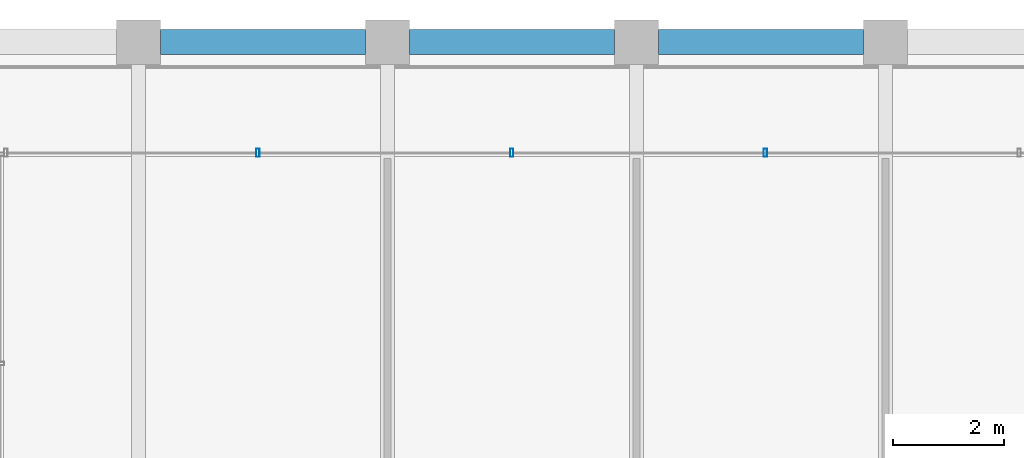
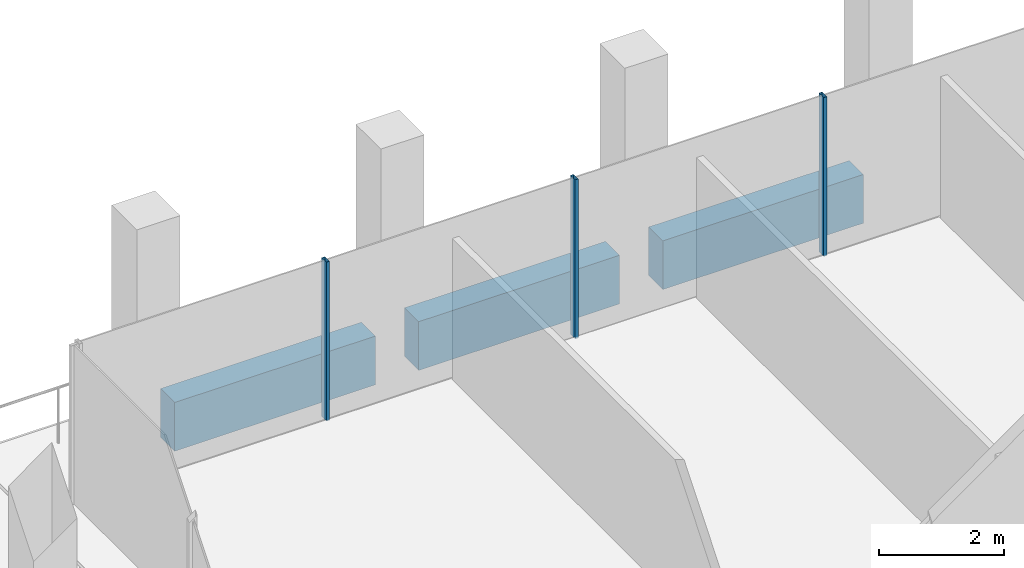
# One storey, part 23 of 30: 3 beams, 3 members, 1 element without a shape of its own.
"""IFC4 building model written with IfcOpenShell, lengths in metres."""

from ifc_helpers import new_model, si_unit, direction, frame, origin, origin_2d, place, context, subcontext, project, spatial, rectangle, hollow_rectangle, extrude, material, material_profile, profile_set, type_object, element, aggregate, save


model = new_model("IFC4")

# Units and contexts
model_context = context("Model", 3, precision=1e-05, world=origin(), true_north=direction((0.0, 1.0)))
body_context = subcontext(model_context, "Body", "Model", "MODEL_VIEW")
ifc_project = project(units=[si_unit("LENGTHUNIT", "METRE"), si_unit("AREAUNIT", "SQUARE_METRE"), si_unit("VOLUMEUNIT", "CUBIC_METRE"), si_unit("PLANEANGLEUNIT", "RADIAN"), si_unit("MASSUNIT", "GRAM", prefix="KILO")], contexts=[model_context])

# Site, building, storey
site_placement = place(None, origin())
site = spatial("IfcSite", under=ifc_project, at=site_placement, CompositionType="ELEMENT")
building_placement = place(site_placement, origin())
building = spatial("IfcBuilding", under=site, at=building_placement, Name="Altepetl Exchange Towers", CompositionType="ELEMENT")
storey_placement = place(building_placement, frame((0.0, 0.0, 224.39990234375)))
storey = spatial("IfcBuildingStorey", under=building, at=storey_placement, Name="L57", CompositionType="ELEMENT", Elevation=224.39990234375)

# Curtain wall, members
ifc_material_1 = material(Name="Aluminium 6063-T6 glazing", Category="aluminium")
curtain_wall_type = type_object("IfcCurtainWallType", Name="Loggia glazing system", PredefinedType="NOTDEFINED", material=ifc_material_1)
curtain_wall_placement = place(storey_placement, origin())
curtain_wall = element("IfcCurtainWall", 1, at=curtain_wall_placement, inside=storey, type_object=curtain_wall_type, Name="CW1 run", PredefinedType="NOTDEFINED")
ifc_material_2 = material(Name="Aluminium 6063-T6", Category="aluminium")
ifc_material_profile_1 = material_profile(ifc_material_2, hollow_rectangle(XDim=0.06005859375, YDim=0.14990234375, WallThickness=0.0029296875, at=origin_2d()), Name="Mullion 60x150 aluminium")
ifc_profile_set_1 = profile_set([ifc_material_profile_1], Name="Aluminium 6063-T6")
member_type = type_object("IfcMemberType", Name="Mullion 60x150 aluminium", PredefinedType="MULLION", material=ifc_profile_set_1)
member_1_placement = place(storey_placement, frame((56.330078125, 70.0, 0.0), z_axis=(0.0, 0.0, 1.0), x_axis=(-1.0, 0.0, 0.0)))
member_1 = element("IfcMember", 2, at=member_1_placement, type_object=member_type, Name="MU1 mullion", PredefinedType="MULLION", context=body_context, shape_type="SweptSolid", body=[
    extrude(hollow_rectangle(XDim=0.06005859375, YDim=0.14990234375, WallThickness=0.0029296875, at=origin_2d()), origin(), (0.0, 0.0, 1.0), 3.10009765625),
])
member_2_placement = place(storey_placement, frame((51.7451171875, 70.0, 0.0), z_axis=(0.0, 0.0, 1.0), x_axis=(-1.0, 0.0, 0.0)))
member_2 = element("IfcMember", 3, at=member_2_placement, type_object=member_type, Name="MU1 mullion", PredefinedType="MULLION", context=body_context, shape_type="SweptSolid", body=[
    extrude(hollow_rectangle(XDim=0.06005859375, YDim=0.14990234375, WallThickness=0.0029296875, at=origin_2d()), origin(), (0.0, 0.0, 1.0), 3.10009765625),
])
member_3_placement = place(storey_placement, frame((47.159912109375, 70.0, 0.0), z_axis=(0.0, 0.0, 1.0), x_axis=(-1.0, 0.0, 0.0)))
member_3 = element("IfcMember", 4, at=member_3_placement, type_object=member_type, Name="MU1 mullion", PredefinedType="MULLION", context=body_context, shape_type="SweptSolid", body=[
    extrude(hollow_rectangle(XDim=0.06005859375, YDim=0.14990234375, WallThickness=0.0029296875, at=origin_2d()), origin(), (0.0, 0.0, 1.0), 3.10009765625),
])
aggregate(curtain_wall, [member_1, member_2, member_3])

# Beams
ifc_material_3 = material(Name="Concrete C50/60 precast with cantera rosa facing", Category="concrete")
ifc_material_profile_2 = material_profile(ifc_material_3, rectangle(XDim=0.449951171875, YDim=0.949951171875, at=origin_2d()), Name="450 x 950")
ifc_profile_set_2 = profile_set([ifc_material_profile_2], Name="Concrete C50/60 precast with cantera rosa facing")
beam_type = type_object("IfcBeamType", Name="Spandrel beam 450x950 cantera rosa", PredefinedType="SPANDREL", material=ifc_profile_set_2)
for number, where, z_axis, x_axis, name in (
    (5, (58.10009765625, 72.0, -0.625), (-1.0, 0.0, 0.0), (0.0, -1.0, 0.0), "sp:A:L57:026"),
    (6, (53.60009765625, 72.0, -0.625), (-1.0, 0.0, 0.0), (0.0, -1.0, 0.0), "sp:A:L57:027"),
    (7, (49.10009765625, 72.0, -0.625), (-1.0, 0.0, 0.0), (0.0, -1.0, 0.0), "sp:A:L57:028"),
):
    element("IfcBeam", number, at=place(storey_placement, frame(where, z_axis=z_axis, x_axis=x_axis)), inside=storey, type_object=beam_type, Name=name, PredefinedType="SPANDREL", context=body_context, shape_type="SweptSolid", body=[
        extrude(rectangle(XDim=0.449951171875, YDim=0.949951171875, at=origin_2d()), origin(), (0.0, 0.0, 1.0), 3.7001953125),
    ])

save(model, "model.ifc")
